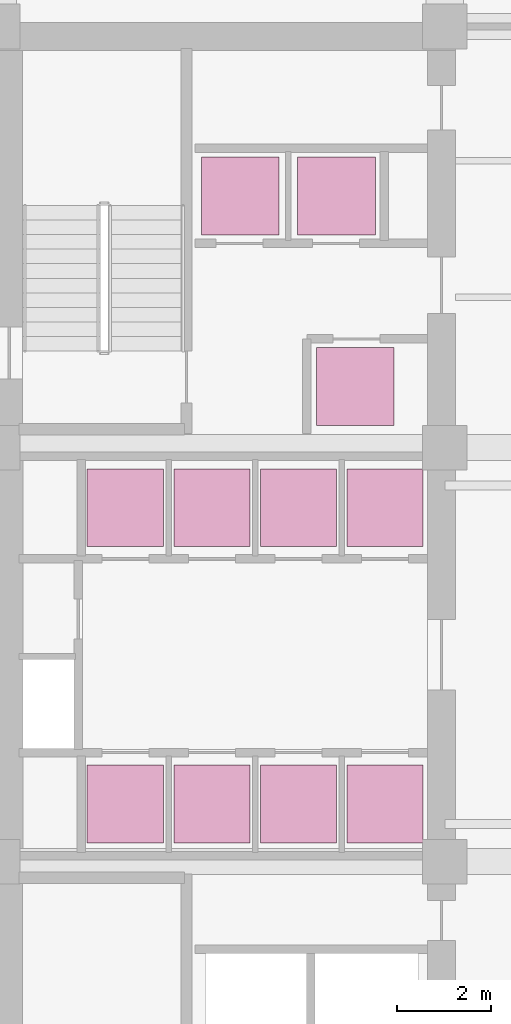
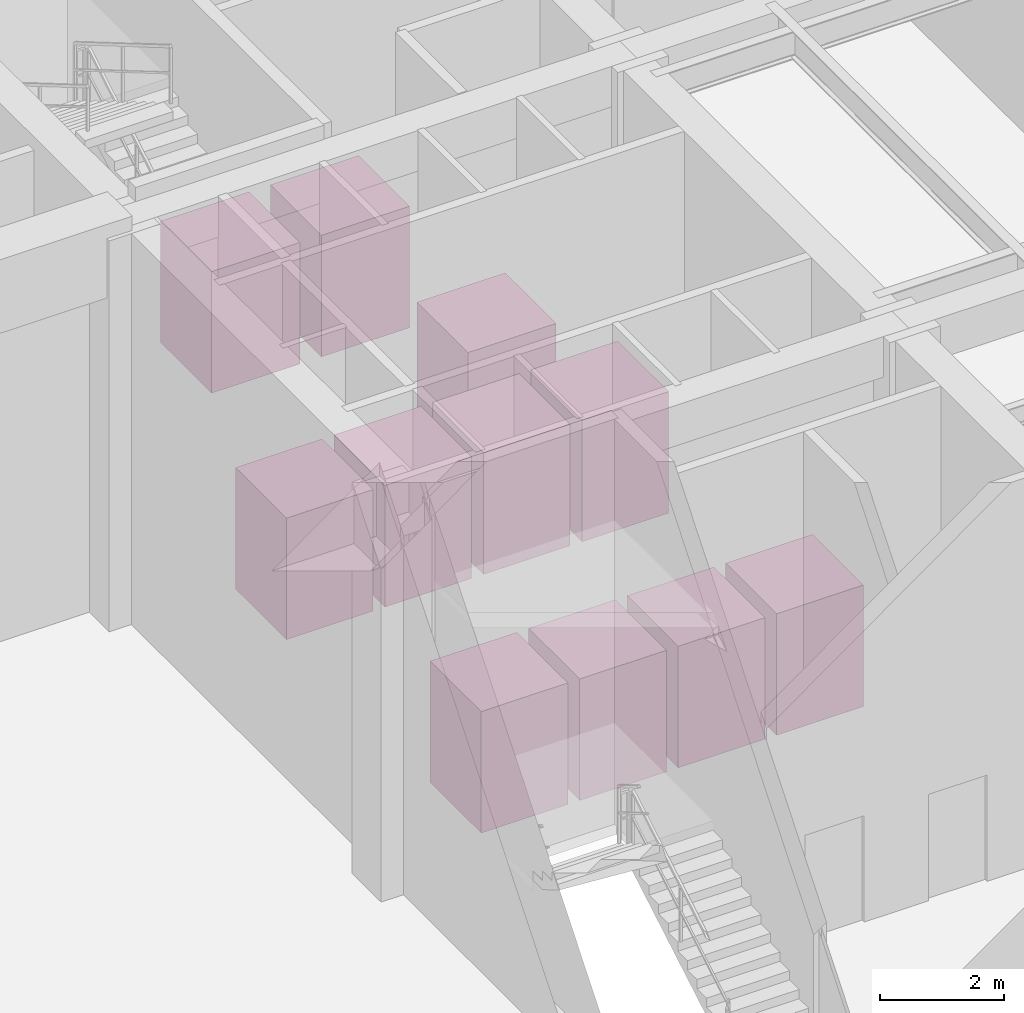
# One storey, part 10 of 10: 11 transport elements.
"""IFC4 building model written with IfcOpenShell, lengths in metres."""

import ifcopenshell
import ifcopenshell.guid

model = None  # the IFC model being written
_history = None  # IfcOwnerHistory: only IFC2X3 demands one
_inside = {}  # id of a spatial element -> (the spatial element, [elements in it])
_under = {}  # id of a project, library or spatial element -> (it, [spatial elements below it])
_declared = {}  # id of a project -> (the project, [libraries it declares])
_typed = {}  # id of a type object -> (the type object, [elements of that type])
_made_of = {}  # id of a material, layer set ... -> (it, [elements and type objects made of it])


def new_model(schema):
    """Start an empty IFC model of exactly this schema.

    Asked for "IFC4X3", IfcOpenShell would pick the latest addendum, in which some entities
    have other attributes; the version numbers below select the first issue.
    IFC2X3 requires an IfcOwnerHistory on every rooted entity: one is made here for all.
    """
    global model, _history
    if schema == "IFC4X3":
        model = ifcopenshell.file(schema_version=(4, 3, 0, 0))
    else:
        model = ifcopenshell.file(schema=schema)
    _inside.clear()
    _under.clear()
    _declared.clear()
    _typed.clear()
    _made_of.clear()
    _history = None
    if model.schema == "IFC2X3":
        org = make("IfcOrganization", Name="unknown")
        user = make(
            "IfcPersonAndOrganization",
            ThePerson=make("IfcPerson", FamilyName="unknown"),
            TheOrganization=org,
        )
        app = make(
            "IfcApplication",
            ApplicationDeveloper=org,
            Version="unknown",
            ApplicationFullName="unknown",
            ApplicationIdentifier="unknown",
        )
        _history = make(
            "IfcOwnerHistory",
            OwningUser=user,
            OwningApplication=app,
            ChangeAction="ADDED",
            CreationDate=0,
        )
    return model


def make(cls, **values):
    """One entity of the class cls with the attributes given. An attribute that is None is left unset."""
    return model.create_entity(
        cls, **{name: value for name, value in values.items() if value is not None}
    )


def rooted(cls, **values):
    """An entity with a GlobalId (a new one), such as an element, a storey or a relation."""
    return make(cls, GlobalId=ifcopenshell.guid.new(), OwnerHistory=_history, **values)


def si_unit(unit_type, name, prefix=None):
    """IfcSIUnit, for example si_unit("LENGTHUNIT", "METRE", prefix="MILLI")."""
    return make("IfcSIUnit", UnitType=unit_type, Prefix=prefix, Name=name)


def assignment(units):
    """IfcUnitAssignment: the units of a project."""
    return None if units is None else make("IfcUnitAssignment", Units=units)


def point(xyz):
    """IfcCartesianPoint."""
    return None if xyz is None else make("IfcCartesianPoint", Coordinates=xyz)


def direction(xyz):
    """IfcDirection."""
    return None if xyz is None else make("IfcDirection", DirectionRatios=xyz)


def frame(location, z_axis=None, x_axis=None):
    """IfcAxis2Placement3D, a coordinate frame: its origin and axes. An axis left out is left unset."""
    return make(
        "IfcAxis2Placement3D",
        Location=point(location),
        Axis=direction(z_axis),
        RefDirection=direction(x_axis),
    )


def frame_2d(location, x_axis=None):
    """IfcAxis2Placement2D, a coordinate frame in the plane: its origin and x axis."""
    return make(
        "IfcAxis2Placement2D", Location=point(location), RefDirection=direction(x_axis)
    )


def origin():
    """The frame at (0, 0, 0) with its axes left unset."""
    return frame((0.0, 0.0, 0.0))


def origin_2d():
    """The frame at (0, 0) in the plane with its x axis left unset."""
    return frame_2d((0.0, 0.0))


def place(relative_to, where):
    """IfcLocalPlacement: puts the frame where relative to a parent placement (None: the world)."""
    return make(
        "IfcLocalPlacement", PlacementRelTo=relative_to, RelativePlacement=where
    )


def context(
    kind, dimensions, precision=None, world=None, true_north=None, identifier=None
):
    """IfcGeometricRepresentationContext, for example the 3D "Model" context."""
    return make(
        "IfcGeometricRepresentationContext",
        ContextIdentifier=identifier,
        ContextType=kind,
        CoordinateSpaceDimension=dimensions,
        Precision=precision,
        WorldCoordinateSystem=world,
        TrueNorth=true_north,
    )


def subcontext(parent, identifier, kind, view, scale=None):
    """IfcGeometricRepresentationSubContext, for example "Body" below "Model"."""
    return make(
        "IfcGeometricRepresentationSubContext",
        ContextIdentifier=identifier,
        ContextType=kind,
        ParentContext=parent,
        TargetScale=scale,
        TargetView=view,
    )


def project(units=None, contexts=None):
    """IfcProject with its units and contexts."""
    return rooted(
        "IfcProject",
        Name="project",
        RepresentationContexts=contexts,
        UnitsInContext=assignment(units),
    )


def spatial(cls, under=None, at=None, **own):
    """A site, building, storey or space (cls), placed at a placement, below another one or the project."""
    s = rooted(cls, ObjectPlacement=at, **own)
    if under is not None:
        _under.setdefault(under.id(), (under, []))[1].append(s)
    return s


def profile(cls, at=None, kind="AREA", **sizes):
    """A parametric profile (cls). Its sizes go by their IFC names, for example OverallWidth=200.0."""
    return make(cls, ProfileType=kind, Position=at, **sizes)


def rectangle(**sizes):
    """IfcRectangleProfileDef."""
    return profile("IfcRectangleProfileDef", **sizes)


def extrude(swept, where, along, depth):
    """IfcExtrudedAreaSolid: the profile swept, set in the frame where, extruded along a direction by depth."""
    return make(
        "IfcExtrudedAreaSolid",
        SweptArea=swept,
        Position=where,
        ExtrudedDirection=direction(along),
        Depth=depth,
    )


def shape(context_of_items, identifier, shape_type, items):
    """IfcShapeRepresentation: the items that make up one representation, for example the "Body"."""
    return make(
        "IfcShapeRepresentation",
        ContextOfItems=context_of_items,
        RepresentationIdentifier=identifier,
        RepresentationType=shape_type,
        Items=items,
    )


def material(Name=None, Category=None):
    """IfcMaterial."""
    return make("IfcMaterial", Name=Name, Category=Category)


def made_of(thing, what):
    """Note that an element or type object is made of a material, layer set ...; save() writes the relation."""
    if what is not None:
        _made_of.setdefault(what.id(), (what, []))[1].append(thing)
    return thing


def type_object(cls, material=None, **own):
    """A type object (cls), such as IfcWallType, which elements share."""
    return made_of(rooted(cls, **own), material)


def element(
    cls,
    number,
    at=None,
    inside=None,
    cuts=None,
    type_object=None,
    material=None,
    context=None,
    identifier="Body",
    shape_type=None,
    held_by="IfcProductDefinitionShape",
    body=None,
    shapes=None,
    **own,
):
    """One element of the class cls, such as IfcWall. Its Tag is "e" and its number.

    at: its placement. inside: the storey or other place that contains it. cuts: it is an
    opening in that element (IfcRelVoidsElement). A single representation is given by context,
    identifier, shape_type and body (its items); several are given by shapes. held_by: the class
    of the entity that holds the representations. save() writes the other relations.
    """
    e = rooted(cls, Tag="e%d" % number, ObjectPlacement=at, **own)
    if body is not None:
        shapes = [shape(context, identifier, shape_type, body)]
    if shapes is not None:
        e.Representation = make(held_by, Representations=shapes)
    if inside is not None:
        _inside.setdefault(inside.id(), (inside, []))[1].append(e)
    if cuts is not None:
        rooted(
            "IfcRelVoidsElement", RelatingBuildingElement=cuts, RelatedOpeningElement=e
        )
    if type_object is not None:
        _typed.setdefault(type_object.id(), (type_object, []))[1].append(e)
    return made_of(e, material)


def aggregate(whole, parts):
    """IfcRelAggregates: a whole, such as a stair, and the parts it consists of."""
    return rooted("IfcRelAggregates", RelatingObject=whole, RelatedObjects=parts)


def save(model, path):
    """Write the relations noted so far, then the file.

    IfcRelAggregates (storeys below a building ...), IfcRelContainedInSpatialStructure (elements
    in a storey), IfcRelDefinesByType, IfcRelAssociatesMaterial and IfcRelDeclares: one each for
    every whole, place, type object, material and project.
    """
    for whole, parts in _under.values():
        aggregate(whole, parts)
    for where, things in _inside.values():
        rooted(
            "IfcRelContainedInSpatialStructure",
            RelatedElements=things,
            RelatingStructure=where,
        )
    for kind, things in _typed.values():
        rooted("IfcRelDefinesByType", RelatedObjects=things, RelatingType=kind)
    for what, things in _made_of.values():
        rooted("IfcRelAssociatesMaterial", RelatedObjects=things, RelatingMaterial=what)
    for by, libraries in _declared.values():
        rooted("IfcRelDeclares", RelatingContext=by, RelatedDefinitions=libraries)
    model.write(path)


model = new_model("IFC4")

# Units and contexts
model_context = context("Model", 3, precision=1e-05, world=origin(), true_north=direction((0.0, 1.0)))
body_context = subcontext(model_context, "Body", "Model", "MODEL_VIEW")
ifc_project = project(units=[si_unit("LENGTHUNIT", "METRE"), si_unit("AREAUNIT", "SQUARE_METRE"), si_unit("VOLUMEUNIT", "CUBIC_METRE"), si_unit("PLANEANGLEUNIT", "RADIAN"), si_unit("MASSUNIT", "GRAM", prefix="KILO")], contexts=[model_context])

# Site, building, storey
site_placement = place(None, origin())
site = spatial("IfcSite", under=ifc_project, at=site_placement, CompositionType="ELEMENT")
building_placement = place(site_placement, origin())
building = spatial("IfcBuilding", under=site, at=building_placement, Name="Kundavana Baori Tower", CompositionType="ELEMENT")
storey_placement = place(building_placement, origin())
storey = spatial("IfcBuildingStorey", under=building, at=storey_placement, Name="L00", CompositionType="ELEMENT", Elevation=0.0)

# Transport elements
ifc_material_1 = material(Name="Galvanised Steel Fire-Rated Door Leaf", Category="steel")
transport_element_type_1 = type_object("IfcTransportElementType", Name="LFT-PASS-HIGH", PredefinedType="ELEVATOR", material=ifc_material_1)
for number, where, z_axis, x_axis, name in (
    (1, (20.60009765625, 38.35009765625, 0.0), (0.0, 0.0, 1.0), (1.0, 0.0, 0.0), "Passenger Lift LP-09"),
    (2, (22.64990234375, 38.35009765625, 0.0), (0.0, 0.0, 1.0), (1.0, 0.0, 0.0), "Passenger Lift LP-10"),
    (3, (23.050048828125, 34.300048828125, 0.0), (0.0, 0.0, 1.0), (1.0, 0.0, 0.0), "Passenger Lift LP-11"),
):
    element("IfcTransportElement", number, at=place(storey_placement, frame(where, z_axis=z_axis, x_axis=x_axis)), inside=storey, type_object=transport_element_type_1, Name=name, PredefinedType="ELEVATOR", context=body_context, shape_type="SweptSolid", body=[
        extrude(rectangle(XDim=1.64990234375, YDim=1.64990234375, at=origin_2d()), origin(), (0.0, 0.0, 1.0), 2.39990234375),
    ])
ifc_material_2 = material(Name="Galvanised Steel Fire-Rated Door Leaf", Category="steel")
transport_element_type_2 = type_object("IfcTransportElementType", Name="LFT-PASS-LOW", PredefinedType="ELEVATOR", material=ifc_material_2)
for number, where, z_axis, x_axis, name in (
    (4, (18.159912109375, 25.425048828125, 0.0), (0.0, 0.0, 1.0), (1.0, 0.0, 0.0), "Passenger Lift LP-01"),
    (5, (20.0, 25.425048828125, 0.0), (0.0, 0.0, 1.0), (1.0, 0.0, 0.0), "Passenger Lift LP-02"),
    (6, (21.840087890625, 25.425048828125, 0.0), (0.0, 0.0, 1.0), (1.0, 0.0, 0.0), "Passenger Lift LP-03"),
    (7, (23.679931640625, 25.425048828125, 0.0), (0.0, 0.0, 1.0), (1.0, 0.0, 0.0), "Passenger Lift LP-04"),
    (8, (18.159912109375, 31.72509765625, 0.0), (0.0, 0.0, 1.0), (1.0, 0.0, 0.0), "Passenger Lift LP-05"),
    (9, (20.0, 31.72509765625, 0.0), (0.0, 0.0, 1.0), (1.0, 0.0, 0.0), "Passenger Lift LP-06"),
    (10, (21.840087890625, 31.72509765625, 0.0), (0.0, 0.0, 1.0), (1.0, 0.0, 0.0), "Passenger Lift LP-07"),
    (11, (23.679931640625, 31.72509765625, 0.0), (0.0, 0.0, 1.0), (1.0, 0.0, 0.0), "Passenger Lift LP-08"),
):
    element("IfcTransportElement", number, at=place(storey_placement, frame(where, z_axis=z_axis, x_axis=x_axis)), inside=storey, type_object=transport_element_type_2, Name=name, PredefinedType="ELEVATOR", context=body_context, shape_type="SweptSolid", body=[
        extrude(rectangle(XDim=1.6201171875, YDim=1.64990234375, at=origin_2d()), origin(), (0.0, 0.0, 1.0), 2.39990234375),
    ])

save(model, "model.ifc")
